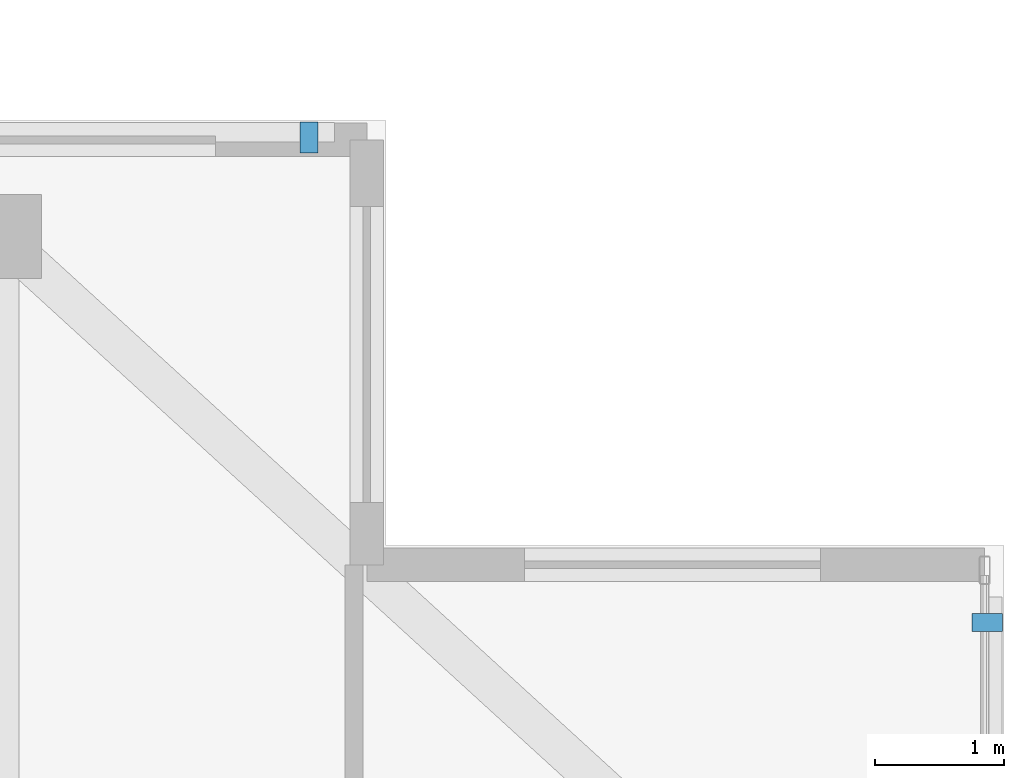
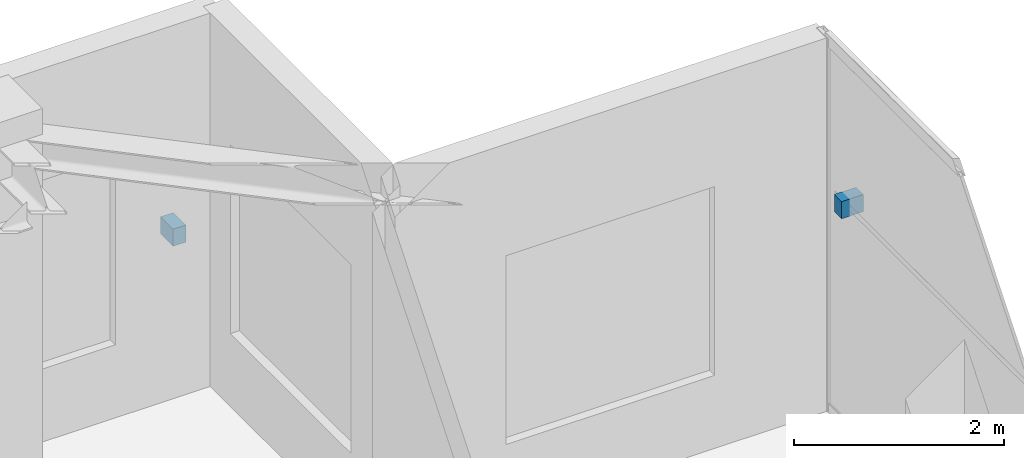
# One storey, part 22 of 25: 2 discrete accessories.
"""IFC4 building model written with IfcOpenShell, lengths in metres."""

from ifc_helpers import new_model, si_unit, direction, frame, origin, origin_2d, place, context, subcontext, project, spatial, rectangle, extrude, material, type_object, element, save


model = new_model("IFC4")

# Units and contexts
model_context = context("Model", 3, precision=1e-05, world=origin(), true_north=direction((0.0, 1.0)))
body_context = subcontext(model_context, "Body", "Model", "MODEL_VIEW")
ifc_project = project(units=[si_unit("LENGTHUNIT", "METRE"), si_unit("AREAUNIT", "SQUARE_METRE"), si_unit("VOLUMEUNIT", "CUBIC_METRE"), si_unit("PLANEANGLEUNIT", "RADIAN"), si_unit("MASSUNIT", "GRAM", prefix="KILO")], contexts=[model_context])

# Site, building, storey
site_placement = place(None, origin())
site = spatial("IfcSite", under=ifc_project, at=site_placement, CompositionType="ELEMENT")
building_placement = place(site_placement, origin())
building = spatial("IfcBuilding", under=site, at=building_placement, Name="Tarnavaz Court Tower", CompositionType="ELEMENT")
storey_placement = place(building_placement, frame((0.0, 0.0, 271.64990234375)))
storey = spatial("IfcBuildingStorey", under=building, at=storey_placement, Name="L74", CompositionType="ELEMENT", Elevation=271.64990234375)

# Discrete accessories
ifc_material = material(Name="Anodised Aluminium 6063-T6", Category="aluminium")
discrete_accessory_type = type_object("IfcDiscreteAccessoryType", Name="DA-BRKT-ALU", PredefinedType="BRACKET", material=ifc_material)
for number, where, z_axis, x_axis, name in (
    (1, (17.39990234375, 20.8701171875, 1.75), (0.0, 0.0, 1.0), (1.0, 0.0, 0.0), "L74 Baguette Outrigger Bracket FBG09-2"),
    (2, (22.669921875, 17.10009765625, 2.5), (0.0, 0.0, 1.0), (0.0, -1.0, 0.0), "L74 Baguette Outrigger Bracket OBG12-1"),
):
    element("IfcDiscreteAccessory", number, at=place(storey_placement, frame(where, z_axis=z_axis, x_axis=x_axis)), inside=storey, type_object=discrete_accessory_type, Name=name, PredefinedType="BRACKET", context=body_context, shape_type="SweptSolid", body=[
        extrude(rectangle(XDim=0.139892578125, YDim=0.239990234375, at=origin_2d()), origin(), (0.0, 0.0, 1.0), 0.199951171875),
    ])

save(model, "model.ifc")
